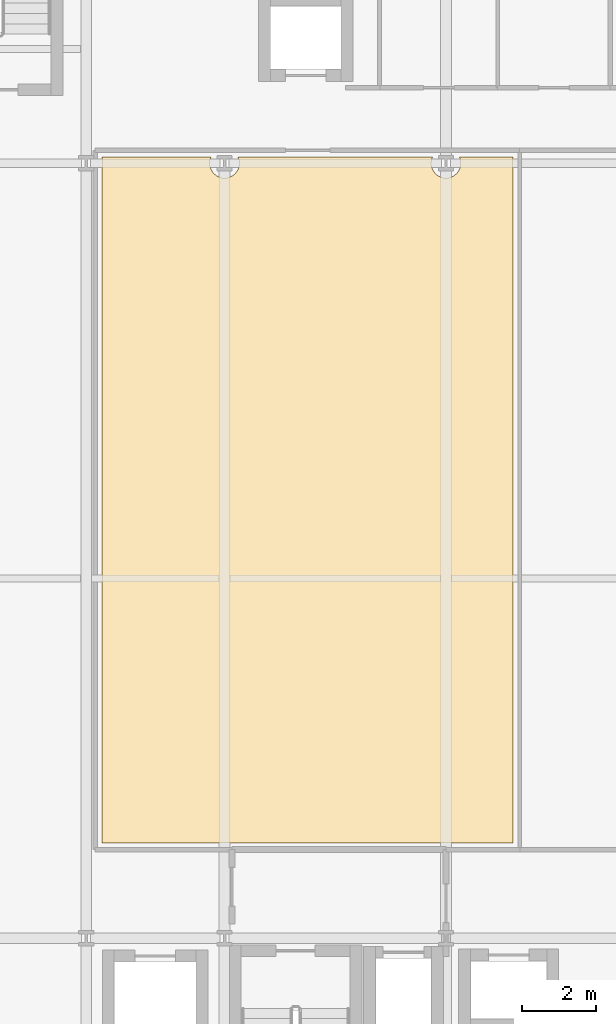
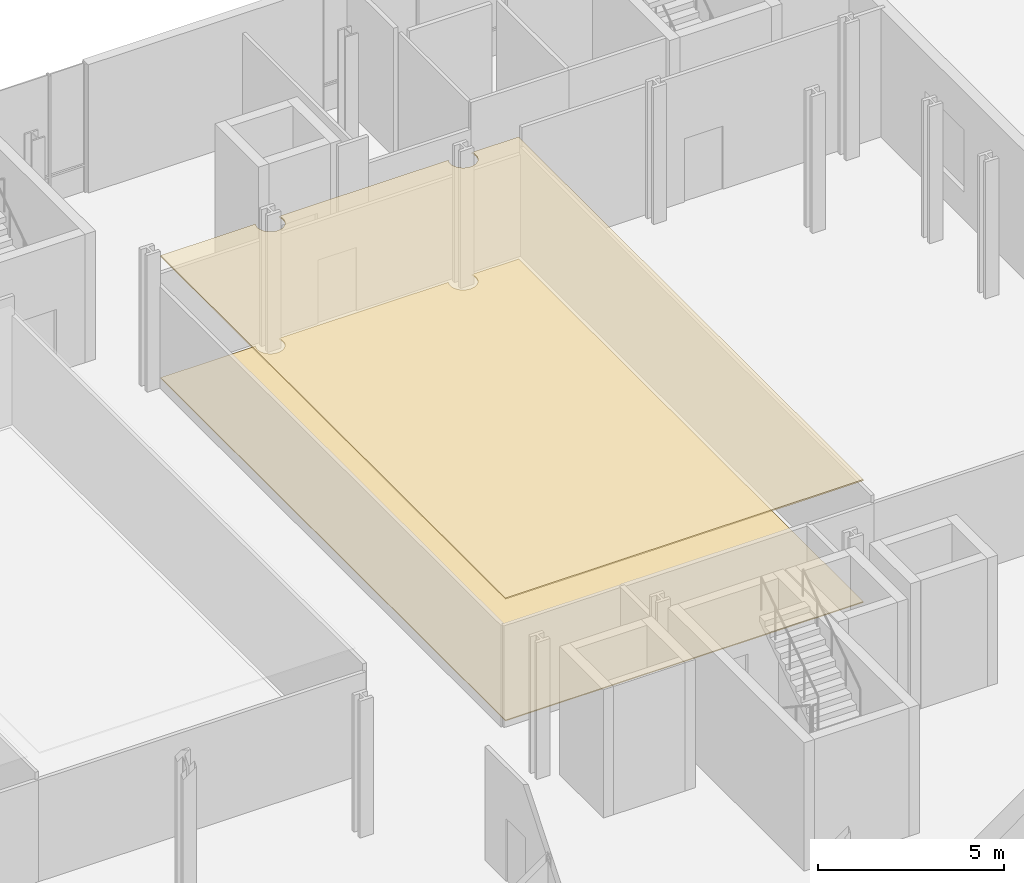
# One storey, part 23 of 26: 2 coverings.
"""IFC4 building model written with IfcOpenShell, lengths in metres."""

from ifc_helpers import new_model, si_unit, direction, frame, origin, place, context, subcontext, project, spatial, polyline, outline, extrude, material, layer, layer_set, type_object, element, save


model = new_model("IFC4")

# Units and contexts
model_context = context("Model", 3, precision=1e-05, world=origin(), true_north=direction((0.0, 1.0)))
body_context = subcontext(model_context, "Body", "Model", "MODEL_VIEW")
ifc_project = project(units=[si_unit("LENGTHUNIT", "METRE"), si_unit("AREAUNIT", "SQUARE_METRE"), si_unit("VOLUMEUNIT", "CUBIC_METRE"), si_unit("PLANEANGLEUNIT", "RADIAN"), si_unit("MASSUNIT", "GRAM", prefix="KILO")], contexts=[model_context])

# Site, building, storey
site_placement = place(None, origin())
site = spatial("IfcSite", under=ifc_project, at=site_placement, CompositionType="ELEMENT")
building_placement = place(site_placement, origin())
building = spatial("IfcBuilding", under=site, at=building_placement, Name="Brevholm Reach", CompositionType="ELEMENT")
storey_placement = place(building_placement, frame((0.0, 0.0, 18.0)))
storey = spatial("IfcBuildingStorey", under=building, at=storey_placement, Name="L04", CompositionType="ELEMENT", Elevation=18.0)

# Coverings
ifc_material_1 = material(Name="Perforated Mineral-Fibre Class-A Acoustic Suspended Ceiling", Category="gypsum")
ifc_layer_1 = layer(ifc_material_1, 0.044921875)
ifc_layer_set_1 = layer_set([ifc_layer_1], Name="Perforated Mineral-Fibre Class-A Acoustic Suspended Ceiling")
covering_type_1 = type_object("IfcCoveringType", Name="COV-CLG-AC", PredefinedType="CEILING", material=ifc_layer_set_1)
covering_1_placement = place(storey_placement, frame((0.0, 0.0, 4.0048828125)))
element("IfcCovering", 1, at=covering_1_placement, inside=storey, type_object=covering_type_1, Name="L04 Suspended Ceiling L04-34", PredefinedType="CEILING", context=body_context, shape_type="SweptSolid", body=[
    extrude(outline(polyline([(49.820068359375, 12.583984375), (38.68408203125, 12.583984375), (38.68408203125, 31.166015625), (41.63671875, 31.166015625), (41.63037109375, 31.153076171875), (41.6171875, 31.1162109375), (41.607666015625, 31.077880859375), (41.601806640625, 31.039306640625), (41.60009765625, 31.0), (41.601806640625, 30.960693359375), (41.607666015625, 30.922119140625), (41.6171875, 30.8837890625), (41.63037109375, 30.846923828125), (41.647216796875, 30.811279296875), (41.66748046875, 30.77783203125), (41.69091796875, 30.74609375), (41.71728515625, 30.71728515625), (41.74609375, 30.69091796875), (41.77783203125, 30.66748046875), (41.811279296875, 30.647216796875), (41.846923828125, 30.63037109375), (41.8837890625, 30.6171875), (41.922119140625, 30.607666015625), (41.960693359375, 30.601806640625), (42.0, 30.60009765625), (42.039306640625, 30.601806640625), (42.077880859375, 30.607666015625), (42.1162109375, 30.6171875), (42.153076171875, 30.63037109375), (42.188720703125, 30.647216796875), (42.22216796875, 30.66748046875), (42.25390625, 30.69091796875), (42.28271484375, 30.71728515625), (42.30908203125, 30.74609375), (42.33251953125, 30.77783203125), (42.352783203125, 30.811279296875), (42.36962890625, 30.846923828125), (42.3828125, 30.8837890625), (42.392333984375, 30.922119140625), (42.398193359375, 30.960693359375), (42.39990234375, 31.0), (42.398193359375, 31.039306640625), (42.392333984375, 31.077880859375), (42.3828125, 31.1162109375), (42.36962890625, 31.153076171875), (42.36328125, 31.166015625), (47.63671875, 31.166015625), (47.63037109375, 31.153076171875), (47.6171875, 31.1162109375), (47.607666015625, 31.077880859375), (47.601806640625, 31.039306640625), (47.60009765625, 31.0), (47.601806640625, 30.960693359375), (47.607666015625, 30.922119140625), (47.6171875, 30.8837890625), (47.63037109375, 30.846923828125), (47.647216796875, 30.811279296875), (47.66748046875, 30.77783203125), (47.69091796875, 30.74609375), (47.71728515625, 30.71728515625), (47.74609375, 30.69091796875), (47.77783203125, 30.66748046875), (47.811279296875, 30.647216796875), (47.846923828125, 30.63037109375), (47.8837890625, 30.6171875), (47.922119140625, 30.607666015625), (47.960693359375, 30.601806640625), (48.0, 30.60009765625), (48.039306640625, 30.601806640625), (48.077880859375, 30.607666015625), (48.1162109375, 30.6171875), (48.153076171875, 30.63037109375), (48.188720703125, 30.647216796875), (48.22216796875, 30.66748046875), (48.25390625, 30.69091796875), (48.28271484375, 30.71728515625), (48.30908203125, 30.74609375), (48.33251953125, 30.77783203125), (48.352783203125, 30.811279296875), (48.36962890625, 30.846923828125), (48.3828125, 30.8837890625), (48.392333984375, 30.922119140625), (48.398193359375, 30.960693359375), (48.39990234375, 31.0), (48.398193359375, 31.039306640625), (48.392333984375, 31.077880859375), (48.3828125, 31.1162109375), (48.36962890625, 31.153076171875), (48.36328125, 31.166015625), (49.820068359375, 31.166015625), (49.820068359375, 12.583984375)])), origin(), (0.0, 0.0, 1.0), 0.045166015625),
])
ifc_material_2 = material(Name="Honed Portland-Aggregate Resin Terrazzo Flooring", Category="concrete")
ifc_layer_2 = layer(ifc_material_2, 0.031982421875)
ifc_layer_set_2 = layer_set([ifc_layer_2], Name="Honed Portland-Aggregate Resin Terrazzo Flooring")
covering_type_2 = type_object("IfcCoveringType", Name="COV-FLR-TRZ", PredefinedType="FLOORING", material=ifc_layer_set_2)
covering_2_placement = place(storey_placement, origin())
element("IfcCovering", 2, at=covering_2_placement, inside=storey, type_object=covering_type_2, Name="L04 Floor Finish L04-34", PredefinedType="FLOORING", context=body_context, shape_type="SweptSolid", body=[
    extrude(outline(polyline([(49.820068359375, 12.583984375), (38.68408203125, 12.583984375), (38.68408203125, 31.166015625), (41.63671875, 31.166015625), (41.63037109375, 31.153076171875), (41.6171875, 31.1162109375), (41.607666015625, 31.077880859375), (41.601806640625, 31.039306640625), (41.60009765625, 31.0), (41.601806640625, 30.960693359375), (41.607666015625, 30.922119140625), (41.6171875, 30.8837890625), (41.63037109375, 30.846923828125), (41.647216796875, 30.811279296875), (41.66748046875, 30.77783203125), (41.69091796875, 30.74609375), (41.71728515625, 30.71728515625), (41.74609375, 30.69091796875), (41.77783203125, 30.66748046875), (41.811279296875, 30.647216796875), (41.846923828125, 30.63037109375), (41.8837890625, 30.6171875), (41.922119140625, 30.607666015625), (41.960693359375, 30.601806640625), (42.0, 30.60009765625), (42.039306640625, 30.601806640625), (42.077880859375, 30.607666015625), (42.1162109375, 30.6171875), (42.153076171875, 30.63037109375), (42.188720703125, 30.647216796875), (42.22216796875, 30.66748046875), (42.25390625, 30.69091796875), (42.28271484375, 30.71728515625), (42.30908203125, 30.74609375), (42.33251953125, 30.77783203125), (42.352783203125, 30.811279296875), (42.36962890625, 30.846923828125), (42.3828125, 30.8837890625), (42.392333984375, 30.922119140625), (42.398193359375, 30.960693359375), (42.39990234375, 31.0), (42.398193359375, 31.039306640625), (42.392333984375, 31.077880859375), (42.3828125, 31.1162109375), (42.36962890625, 31.153076171875), (42.36328125, 31.166015625), (47.63671875, 31.166015625), (47.63037109375, 31.153076171875), (47.6171875, 31.1162109375), (47.607666015625, 31.077880859375), (47.601806640625, 31.039306640625), (47.60009765625, 31.0), (47.601806640625, 30.960693359375), (47.607666015625, 30.922119140625), (47.6171875, 30.8837890625), (47.63037109375, 30.846923828125), (47.647216796875, 30.811279296875), (47.66748046875, 30.77783203125), (47.69091796875, 30.74609375), (47.71728515625, 30.71728515625), (47.74609375, 30.69091796875), (47.77783203125, 30.66748046875), (47.811279296875, 30.647216796875), (47.846923828125, 30.63037109375), (47.8837890625, 30.6171875), (47.922119140625, 30.607666015625), (47.960693359375, 30.601806640625), (48.0, 30.60009765625), (48.039306640625, 30.601806640625), (48.077880859375, 30.607666015625), (48.1162109375, 30.6171875), (48.153076171875, 30.63037109375), (48.188720703125, 30.647216796875), (48.22216796875, 30.66748046875), (48.25390625, 30.69091796875), (48.28271484375, 30.71728515625), (48.30908203125, 30.74609375), (48.33251953125, 30.77783203125), (48.352783203125, 30.811279296875), (48.36962890625, 30.846923828125), (48.3828125, 30.8837890625), (48.392333984375, 30.922119140625), (48.398193359375, 30.960693359375), (48.39990234375, 31.0), (48.398193359375, 31.039306640625), (48.392333984375, 31.077880859375), (48.3828125, 31.1162109375), (48.36962890625, 31.153076171875), (48.36328125, 31.166015625), (49.820068359375, 31.166015625), (49.820068359375, 12.583984375)])), origin(), (0.0, 0.0, 1.0), 0.031982421875),
])

save(model, "model.ifc")
